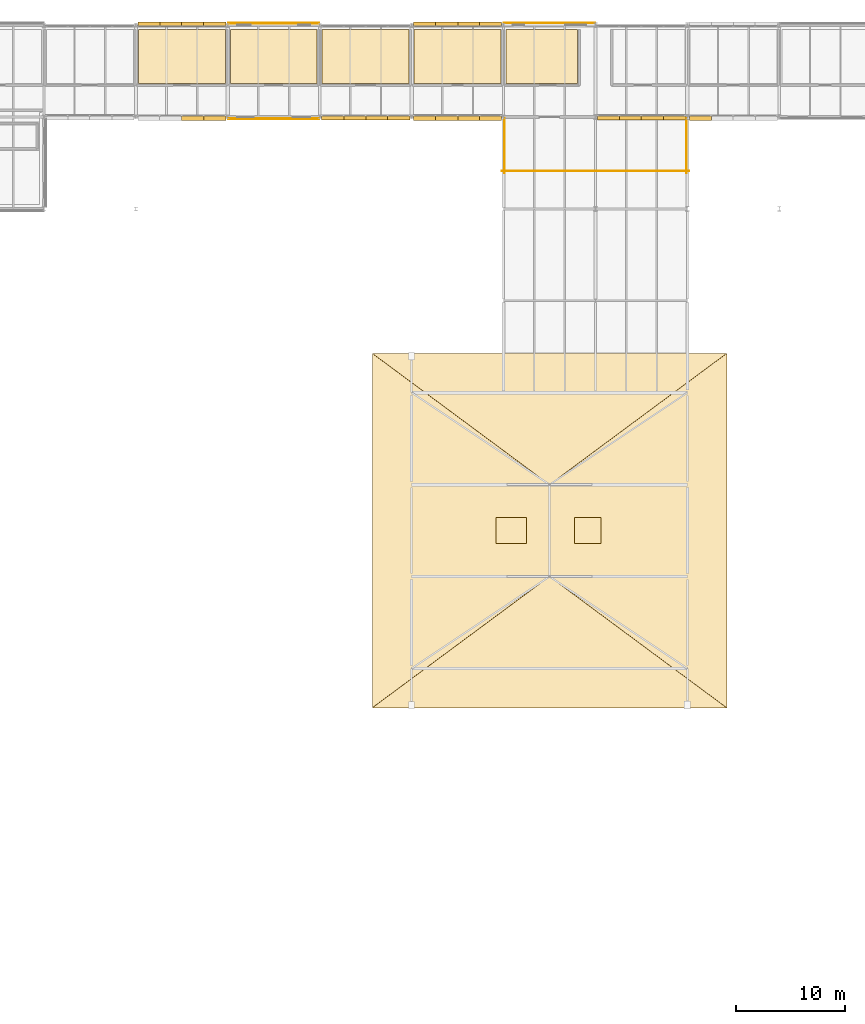
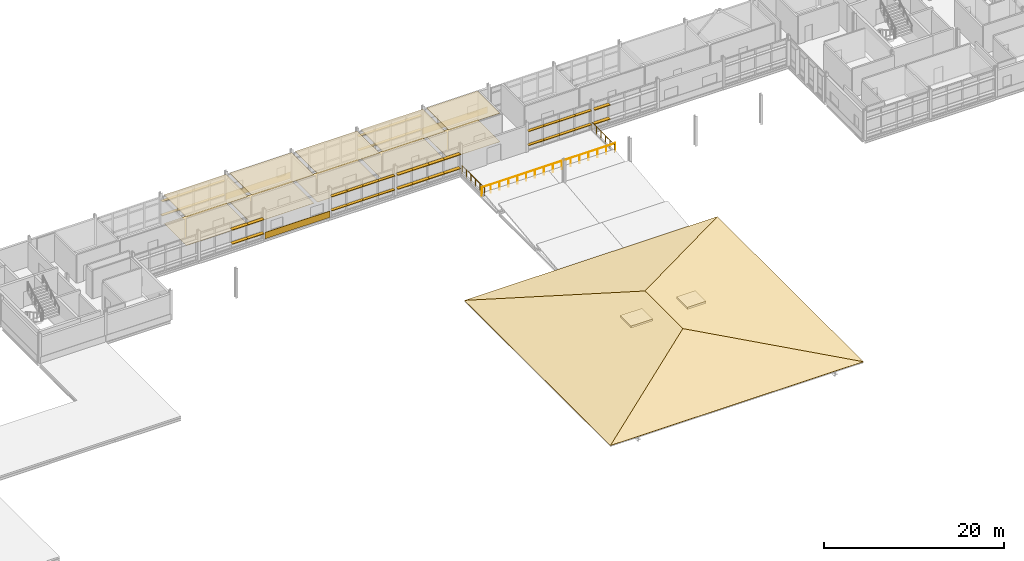
# One storey, part 60 of 66: 46 shading devices, 19 coverings, 3 railings.
"""IFC4 building model written with IfcOpenShell, lengths in metres."""

from ifc_helpers import new_model, si_unit, direction, frame, origin, origin_2d, place, context, subcontext, project, spatial, polyline, rectangle, circle, outline, extrude, material, layer, layer_set, type_object, element, save


model = new_model("IFC4")

# Units and contexts
model_context = context("Model", 3, precision=1e-05, world=origin(), true_north=direction((0.0, 1.0)))
body_context = subcontext(model_context, "Body", "Model", "MODEL_VIEW")
ifc_project = project(units=[si_unit("LENGTHUNIT", "METRE"), si_unit("AREAUNIT", "SQUARE_METRE"), si_unit("VOLUMEUNIT", "CUBIC_METRE"), si_unit("PLANEANGLEUNIT", "RADIAN"), si_unit("MASSUNIT", "GRAM", prefix="KILO")], contexts=[model_context])

# Site, building, storey
site_placement = place(None, origin())
site = spatial("IfcSite", under=ifc_project, at=site_placement, CompositionType="ELEMENT")
building_placement = place(site_placement, origin())
building = spatial("IfcBuilding", under=site, at=building_placement, Name="Mersafa Astral City Hall", CompositionType="ELEMENT")
storey_placement = place(building_placement, frame((0.0, 0.0, 22.050048828125)))
storey = spatial("IfcBuildingStorey", under=building, at=storey_placement, Name="L05", CompositionType="ELEMENT", Elevation=22.050048828125)

# Coverings
ifc_material_1 = material(Name="Cairo Mokattam buff limestone cladding", Category="masonry")
ifc_layer_1 = layer(ifc_material_1, 0.06005859375, Name="Cairo Mokattam buff limestone cladding")
ifc_layer_set_1 = layer_set([ifc_layer_1], Name="Cairo Mokattam buff limestone cladding — ENV-COV-LIMESTONE-60")
covering_type_1 = type_object("IfcCoveringType", Name="ENV-COV-LIMESTONE-60", PredefinedType="CLADDING", material=ifc_layer_set_1)
for number, where, z_axis, x_axis, name in (
    (1, (105.0, 126.177001953125, 0.0), (0.0, 0.0, 1.0), (-1.0, 0.0, 0.0), "L05 Cairo buff limestone rainscreen cladding 332"),
    (2, (79.800048828125, 126.16943359375, 0.0), (0.0, 0.0, 1.0), (-1.0, 0.0, 0.0), "L05 Cairo buff limestone rainscreen cladding 333"),
    (3, (79.800048828125, 117.445556640625, 0.0), (0.0, 0.0, 1.0), (1.0, 0.0, 0.0), "L05 Cairo buff limestone rainscreen cladding 341"),
):
    element("IfcCovering", number, at=place(storey_placement, frame(where, z_axis=z_axis, x_axis=x_axis)), inside=storey, type_object=covering_type_1, Name=name, PredefinedType="CLADDING", context=body_context, shape_type="SweptSolid", body=[
        extrude(rectangle(XDim=8.323974609375, YDim=0.06005859375, at=origin_2d()), origin(), (0.0, 0.0, 1.0), 0.860107421875),
    ])
ifc_material_2 = material(Name="Egyptian ceramic terracotta roof tile", Category="masonry")
ifc_layer_2 = layer(ifc_material_2, 0.054931640625, Name="Egyptian ceramic terracotta roof tile")
ifc_layer_set_2 = layer_set([ifc_layer_2], Name="Egyptian ceramic terracotta roof tile — ENV-COV-TERRACOTTA-55")
covering_type_2 = type_object("IfcCoveringType", Name="ENV-COV-TERRACOTTA-55", PredefinedType="ROOFING", material=ifc_layer_set_2)
for number, where, z_axis, x_axis, name in (
    (4, (88.800048828125, 63.60009765625, 0.052978515625), (0.0, -0.23343879534, 0.972371497335), (1.0, 0.0, 0.0), "L05 Warm terracotta ceramic roof tile covering 27"),
    (5, (121.199951171875, 96.0, 0.052978515625), (0.0, 0.23343879534, 0.972371497335), (-1.0, 0.0, 0.0), "L05 Warm terracotta ceramic roof tile covering 28"),
):
    element("IfcCovering", number, at=place(storey_placement, frame(where, z_axis=z_axis, x_axis=x_axis)), inside=storey, type_object=covering_type_2, Name=name, PredefinedType="ROOFING", context=body_context, shape_type="SweptSolid", body=[
        extrude(outline(polyline([(0.0, 0.0), (32.39990234375, 0.0), (16.199951171875, 12.340962310068264), (0.0, 0.0)])), origin(), (0.0, 0.0, -1.0), 0.054931640625),
    ])
for number, where, z_axis, x_axis, name in (
    (6, (88.800048828125, 96.0, 0.052978515625), (-0.175084474359, 0.0, 0.984553414924), (0.0, -1.0, 0.0), "L05 Warm terracotta ceramic roof tile covering 29"),
    (7, (121.199951171875, 63.60009765625, 0.052978515625), (0.175084474359, 0.0, 0.984553414924), (0.0, 1.0, 0.0), "L05 Warm terracotta ceramic roof tile covering 30"),
):
    element("IfcCovering", number, at=place(storey_placement, frame(where, z_axis=z_axis, x_axis=x_axis)), inside=storey, type_object=covering_type_2, Name=name, PredefinedType="ROOFING", context=body_context, shape_type="SweptSolid", body=[
        extrude(outline(polyline([(0.0, 0.0), (32.39990234375, 0.0), (20.39990234375, 16.454110997245024), (12.0, 16.454110997245024), (0.0, 0.0)])), origin(), (0.0, 0.0, -1.0), 0.054931640625),
    ])

# Railings
ifc_material_3 = material(Name="Anodised bronze steel balustrade with laminated safety infill", Category="steel")
railing_type = type_object("IfcRailingType", Name="ENV-RAIL-TERRACE-1120", PredefinedType="BALUSTRADE", material=ifc_material_3)
railing_1_placement = place(storey_placement, frame((117.530029296875, 112.4599609375, 0.0)))
element("IfcRailing", 8, at=railing_1_placement, inside=storey, type_object=railing_type, Name="L05 Terrace perimeter guard balustrade 11", PredefinedType="BALUSTRADE", context=body_context, shape_type="SweptSolid", body=[
    extrude(circle(Radius=0.02392578125, at=origin_2d()), frame((0.0, 0.0, 1.09619140625), z_axis=(0.0, 1.0, 0.0), x_axis=(-1.0, 0.0, 0.0)), (0.0, 0.0, 1.0), 5.0),
    extrude(circle(Radius=0.02099609375, at=origin_2d()), origin(), (0.0, 0.0, 1.0), 1.072021484375),
    extrude(circle(Radius=0.02099609375, at=origin_2d()), frame((0.0, 1.0, 0.0)), (0.0, 0.0, 1.0), 1.072021484375),
    extrude(circle(Radius=0.02099609375, at=origin_2d()), frame((0.0, 2.0, 0.0)), (0.0, 0.0, 1.0), 1.072021484375),
    extrude(circle(Radius=0.02099609375, at=origin_2d()), frame((0.0, 3.0, 0.0)), (0.0, 0.0, 1.0), 1.072021484375),
    extrude(circle(Radius=0.02099609375, at=origin_2d()), frame((0.0, 4.0, 0.0)), (0.0, 0.0, 1.0), 1.072021484375),
    extrude(circle(Radius=0.02099609375, at=origin_2d()), frame((0.0, 5.0, 0.0)), (0.0, 0.0, 1.0), 1.072021484375),
])
railing_2_placement = place(storey_placement, frame((100.8701171875, 117.4599609375, 0.0)))
element("IfcRailing", 9, at=railing_2_placement, inside=storey, type_object=railing_type, Name="L05 Terrace perimeter guard balustrade 12", PredefinedType="BALUSTRADE", context=body_context, shape_type="SweptSolid", body=[
    extrude(circle(Radius=0.02392578125, at=origin_2d()), frame((0.0, 0.0, 1.09619140625), z_axis=(0.0, -1.0, 0.0), x_axis=(1.0, 0.0, 0.0)), (0.0, 0.0, 1.0), 5.0),
    extrude(circle(Radius=0.02099609375, at=origin_2d()), origin(), (0.0, 0.0, 1.0), 1.072021484375),
    extrude(circle(Radius=0.02099609375, at=origin_2d()), frame((0.0, -1.0, 0.0)), (0.0, 0.0, 1.0), 1.072021484375),
    extrude(circle(Radius=0.02099609375, at=origin_2d()), frame((0.0, -2.0, 0.0)), (0.0, 0.0, 1.0), 1.072021484375),
    extrude(circle(Radius=0.02099609375, at=origin_2d()), frame((0.0, -3.0, 0.0)), (0.0, 0.0, 1.0), 1.072021484375),
    extrude(circle(Radius=0.02099609375, at=origin_2d()), frame((0.0, -4.0, 0.0)), (0.0, 0.0, 1.0), 1.072021484375),
    extrude(circle(Radius=0.02099609375, at=origin_2d()), frame((0.0, -5.0, 0.0)), (0.0, 0.0, 1.0), 1.072021484375),
])
railing_3_placement = place(storey_placement, frame((100.659912109375, 112.669921875, 0.0)))
element("IfcRailing", 10, at=railing_3_placement, inside=storey, type_object=railing_type, Name="L05 Terrace perimeter guard balustrade 13", PredefinedType="BALUSTRADE", context=body_context, shape_type="SweptSolid", body=[
    extrude(circle(Radius=0.02392578125, at=origin_2d()), frame((0.0, 0.0, 1.09619140625), z_axis=(1.0, 0.0, 0.0), x_axis=(0.0, 1.0, 0.0)), (0.0, 0.0, 1.0), 17.080078125),
    extrude(circle(Radius=0.02099609375, at=origin_2d()), origin(), (0.0, 0.0, 1.0), 1.072021484375),
    extrude(circle(Radius=0.02099609375, at=origin_2d()), frame((1.138671875, 0.0, 0.0)), (0.0, 0.0, 1.0), 1.072021484375),
    extrude(circle(Radius=0.02099609375, at=origin_2d()), frame((2.27734375, 0.0, 0.0)), (0.0, 0.0, 1.0), 1.072021484375),
    extrude(circle(Radius=0.02099609375, at=origin_2d()), frame((3.416015625, 0.0, 0.0)), (0.0, 0.0, 1.0), 1.072021484375),
    extrude(circle(Radius=0.02099609375, at=origin_2d()), frame((4.5546875, 0.0, 0.0)), (0.0, 0.0, 1.0), 1.072021484375),
    extrude(circle(Radius=0.02099609375, at=origin_2d()), frame((5.693359375, 0.0, 0.0)), (0.0, 0.0, 1.0), 1.072021484375),
    extrude(circle(Radius=0.02099609375, at=origin_2d()), frame((6.83203125, 0.0, 0.0)), (0.0, 0.0, 1.0), 1.072021484375),
    extrude(circle(Radius=0.02099609375, at=origin_2d()), frame((7.970703125, 0.0, 0.0)), (0.0, 0.0, 1.0), 1.072021484375),
    extrude(circle(Radius=0.02099609375, at=origin_2d()), frame((9.109375, 0.0, 0.0)), (0.0, 0.0, 1.0), 1.072021484375),
    extrude(circle(Radius=0.02099609375, at=origin_2d()), frame((10.248046875, 0.0, 0.0)), (0.0, 0.0, 1.0), 1.072021484375),
    extrude(circle(Radius=0.02099609375, at=origin_2d()), frame((11.38671875, 0.0, 0.0)), (0.0, 0.0, 1.0), 1.072021484375),
    extrude(circle(Radius=0.02099609375, at=origin_2d()), frame((12.525390625, 0.0, 0.0)), (0.0, 0.0, 1.0), 1.072021484375),
    extrude(circle(Radius=0.02099609375, at=origin_2d()), frame((13.6640625, 0.0, 0.0)), (0.0, 0.0, 1.0), 1.072021484375),
    extrude(circle(Radius=0.02099609375, at=origin_2d()), frame((14.802734375, 0.0, 0.0)), (0.0, 0.0, 1.0), 1.072021484375),
    extrude(circle(Radius=0.02099609375, at=origin_2d()), frame((15.94140625, 0.0, 0.0)), (0.0, 0.0, 1.0), 1.072021484375),
    extrude(circle(Radius=0.02099609375, at=origin_2d()), frame((17.080078125, 0.0, 0.0)), (0.0, 0.0, 1.0), 1.072021484375),
])

# Shading devices
ifc_material_4 = material(Name="Kiln-dried cedar timber brise-soleil blade", Category="wood")
shading_device_type_1 = type_object("IfcShadingDeviceType", Name="ENV-SHD-LOUVRE-380", PredefinedType="JALOUSIE", material=ifc_material_4)
shading_device_1_placement = place(storey_placement, frame((99.613525390625, 126.080078125, 0.81494140625), z_axis=(0.0, 0.0, 1.0), x_axis=(-1.0, 0.0, 0.0)))
element("IfcShadingDevice", 11, at=shading_device_1_placement, inside=storey, type_object=shading_device_type_1, Name="L05 Horizontal cedar brise-soleil louvre 1468", PredefinedType="JALOUSIE", context=body_context, shape_type="SweptSolid", body=[
    extrude(rectangle(XDim=2.029052734375, YDim=0.3798828125, at=origin_2d()), origin(), (0.0, 0.0, 1.0), 0.070068359375),
])
for number, where, z_axis, x_axis, name in (
    (12, (97.609619140625, 126.080078125, 0.81494140625), (0.0, 0.0, 1.0), (-1.0, 0.0, 0.0), "L05 Horizontal cedar brise-soleil louvre 1469"),
    (13, (95.590576171875, 126.080078125, 0.81494140625), (0.0, 0.0, 1.0), (-1.0, 0.0, 0.0), "L05 Horizontal cedar brise-soleil louvre 1470"),
):
    element("IfcShadingDevice", number, at=place(storey_placement, frame(where, z_axis=z_axis, x_axis=x_axis)), inside=storey, type_object=shading_device_type_1, Name=name, PredefinedType="JALOUSIE", context=body_context, shape_type="SweptSolid", body=[
        extrude(rectangle(XDim=2.05908203125, YDim=0.3798828125, at=origin_2d()), origin(), (0.0, 0.0, 1.0), 0.070068359375),
    ])
for number, where, z_axis, x_axis, name in (
    (14, (93.58642578125, 126.080078125, 0.81494140625), (0.0, 0.0, 1.0), (-1.0, 0.0, 0.0), "L05 Horizontal cedar brise-soleil louvre 1471"),
    (15, (99.613525390625, 126.080078125, 2.71484375), (0.0, 0.0, 1.0), (-1.0, 0.0, 0.0), "L05 Horizontal cedar brise-soleil louvre 1472"),
):
    element("IfcShadingDevice", number, at=place(storey_placement, frame(where, z_axis=z_axis, x_axis=x_axis)), inside=storey, type_object=shading_device_type_1, Name=name, PredefinedType="JALOUSIE", context=body_context, shape_type="SweptSolid", body=[
        extrude(rectangle(XDim=2.029052734375, YDim=0.3798828125, at=origin_2d()), origin(), (0.0, 0.0, 1.0), 0.070068359375),
    ])
for number, where, z_axis, x_axis, name in (
    (16, (97.609619140625, 126.080078125, 2.71484375), (0.0, 0.0, 1.0), (-1.0, 0.0, 0.0), "L05 Horizontal cedar brise-soleil louvre 1473"),
    (17, (95.590576171875, 126.080078125, 2.71484375), (0.0, 0.0, 1.0), (-1.0, 0.0, 0.0), "L05 Horizontal cedar brise-soleil louvre 1474"),
):
    element("IfcShadingDevice", number, at=place(storey_placement, frame(where, z_axis=z_axis, x_axis=x_axis)), inside=storey, type_object=shading_device_type_1, Name=name, PredefinedType="JALOUSIE", context=body_context, shape_type="SweptSolid", body=[
        extrude(rectangle(XDim=2.05908203125, YDim=0.3798828125, at=origin_2d()), origin(), (0.0, 0.0, 1.0), 0.070068359375),
    ])
for number, where, z_axis, x_axis, name in (
    (18, (93.58642578125, 126.080078125, 2.71484375), (0.0, 0.0, 1.0), (-1.0, 0.0, 0.0), "L05 Horizontal cedar brise-soleil louvre 1475"),
    (19, (74.41357421875, 126.080078125, 0.81494140625), (0.0, 0.0, 1.0), (-1.0, 0.0, 0.0), "L05 Horizontal cedar brise-soleil louvre 1476"),
):
    element("IfcShadingDevice", number, at=place(storey_placement, frame(where, z_axis=z_axis, x_axis=x_axis)), inside=storey, type_object=shading_device_type_1, Name=name, PredefinedType="JALOUSIE", context=body_context, shape_type="SweptSolid", body=[
        extrude(rectangle(XDim=2.029052734375, YDim=0.3798828125, at=origin_2d()), origin(), (0.0, 0.0, 1.0), 0.070068359375),
    ])
for number, where, z_axis, x_axis, name in (
    (20, (72.409423828125, 126.080078125, 0.81494140625), (0.0, 0.0, 1.0), (-1.0, 0.0, 0.0), "L05 Horizontal cedar brise-soleil louvre 1477"),
    (21, (70.390380859375, 126.080078125, 0.81494140625), (0.0, 0.0, 1.0), (-1.0, 0.0, 0.0), "L05 Horizontal cedar brise-soleil louvre 1478"),
):
    element("IfcShadingDevice", number, at=place(storey_placement, frame(where, z_axis=z_axis, x_axis=x_axis)), inside=storey, type_object=shading_device_type_1, Name=name, PredefinedType="JALOUSIE", context=body_context, shape_type="SweptSolid", body=[
        extrude(rectangle(XDim=2.05908203125, YDim=0.3798828125, at=origin_2d()), origin(), (0.0, 0.0, 1.0), 0.070068359375),
    ])
for number, where, z_axis, x_axis, name in (
    (22, (68.386474609375, 126.080078125, 0.81494140625), (0.0, 0.0, 1.0), (-1.0, 0.0, 0.0), "L05 Horizontal cedar brise-soleil louvre 1479"),
    (23, (74.41357421875, 126.080078125, 2.71484375), (0.0, 0.0, 1.0), (-1.0, 0.0, 0.0), "L05 Horizontal cedar brise-soleil louvre 1480"),
):
    element("IfcShadingDevice", number, at=place(storey_placement, frame(where, z_axis=z_axis, x_axis=x_axis)), inside=storey, type_object=shading_device_type_1, Name=name, PredefinedType="JALOUSIE", context=body_context, shape_type="SweptSolid", body=[
        extrude(rectangle(XDim=2.029052734375, YDim=0.3798828125, at=origin_2d()), origin(), (0.0, 0.0, 1.0), 0.070068359375),
    ])
for number, where, z_axis, x_axis, name in (
    (24, (72.409423828125, 126.080078125, 2.71484375), (0.0, 0.0, 1.0), (-1.0, 0.0, 0.0), "L05 Horizontal cedar brise-soleil louvre 1481"),
    (25, (70.390380859375, 126.080078125, 2.71484375), (0.0, 0.0, 1.0), (-1.0, 0.0, 0.0), "L05 Horizontal cedar brise-soleil louvre 1482"),
):
    element("IfcShadingDevice", number, at=place(storey_placement, frame(where, z_axis=z_axis, x_axis=x_axis)), inside=storey, type_object=shading_device_type_1, Name=name, PredefinedType="JALOUSIE", context=body_context, shape_type="SweptSolid", body=[
        extrude(rectangle(XDim=2.05908203125, YDim=0.3798828125, at=origin_2d()), origin(), (0.0, 0.0, 1.0), 0.070068359375),
    ])
for number, where, z_axis, x_axis, name in (
    (26, (68.386474609375, 126.080078125, 2.71484375), (0.0, 0.0, 1.0), (-1.0, 0.0, 0.0), "L05 Horizontal cedar brise-soleil louvre 1483"),
    (27, (85.1865234375, 117.52001953125, 0.81494140625), (0.0, 0.0, 1.0), (1.0, 0.0, 0.0), "L05 Horizontal cedar brise-soleil louvre 1500"),
):
    element("IfcShadingDevice", number, at=place(storey_placement, frame(where, z_axis=z_axis, x_axis=x_axis)), inside=storey, type_object=shading_device_type_1, Name=name, PredefinedType="JALOUSIE", context=body_context, shape_type="SweptSolid", body=[
        extrude(rectangle(XDim=2.029052734375, YDim=0.3798828125, at=origin_2d()), origin(), (0.0, 0.0, 1.0), 0.070068359375),
    ])
for number, where, z_axis, x_axis, name in (
    (28, (87.1904296875, 117.52001953125, 0.81494140625), (0.0, 0.0, 1.0), (1.0, 0.0, 0.0), "L05 Horizontal cedar brise-soleil louvre 1501"),
    (29, (89.20947265625, 117.52001953125, 0.81494140625), (0.0, 0.0, 1.0), (1.0, 0.0, 0.0), "L05 Horizontal cedar brise-soleil louvre 1502"),
):
    element("IfcShadingDevice", number, at=place(storey_placement, frame(where, z_axis=z_axis, x_axis=x_axis)), inside=storey, type_object=shading_device_type_1, Name=name, PredefinedType="JALOUSIE", context=body_context, shape_type="SweptSolid", body=[
        extrude(rectangle(XDim=2.05908203125, YDim=0.3798828125, at=origin_2d()), origin(), (0.0, 0.0, 1.0), 0.070068359375),
    ])
for number, where, z_axis, x_axis, name in (
    (30, (91.21337890625, 117.52001953125, 0.81494140625), (0.0, 0.0, 1.0), (1.0, 0.0, 0.0), "L05 Horizontal cedar brise-soleil louvre 1503"),
    (31, (85.1865234375, 117.52001953125, 2.71484375), (0.0, 0.0, 1.0), (1.0, 0.0, 0.0), "L05 Horizontal cedar brise-soleil louvre 1504"),
):
    element("IfcShadingDevice", number, at=place(storey_placement, frame(where, z_axis=z_axis, x_axis=x_axis)), inside=storey, type_object=shading_device_type_1, Name=name, PredefinedType="JALOUSIE", context=body_context, shape_type="SweptSolid", body=[
        extrude(rectangle(XDim=2.029052734375, YDim=0.3798828125, at=origin_2d()), origin(), (0.0, 0.0, 1.0), 0.070068359375),
    ])
for number, where, z_axis, x_axis, name in (
    (32, (87.1904296875, 117.52001953125, 2.71484375), (0.0, 0.0, 1.0), (1.0, 0.0, 0.0), "L05 Horizontal cedar brise-soleil louvre 1505"),
    (33, (89.20947265625, 117.52001953125, 2.71484375), (0.0, 0.0, 1.0), (1.0, 0.0, 0.0), "L05 Horizontal cedar brise-soleil louvre 1506"),
):
    element("IfcShadingDevice", number, at=place(storey_placement, frame(where, z_axis=z_axis, x_axis=x_axis)), inside=storey, type_object=shading_device_type_1, Name=name, PredefinedType="JALOUSIE", context=body_context, shape_type="SweptSolid", body=[
        extrude(rectangle(XDim=2.05908203125, YDim=0.3798828125, at=origin_2d()), origin(), (0.0, 0.0, 1.0), 0.070068359375),
    ])
for number, where, z_axis, x_axis, name in (
    (34, (91.21337890625, 117.52001953125, 2.71484375), (0.0, 0.0, 1.0), (1.0, 0.0, 0.0), "L05 Horizontal cedar brise-soleil louvre 1507"),
    (35, (110.386474609375, 117.52001953125, 0.81494140625), (0.0, 0.0, 1.0), (1.0, 0.0, 0.0), "L05 Horizontal cedar brise-soleil louvre 1516"),
):
    element("IfcShadingDevice", number, at=place(storey_placement, frame(where, z_axis=z_axis, x_axis=x_axis)), inside=storey, type_object=shading_device_type_1, Name=name, PredefinedType="JALOUSIE", context=body_context, shape_type="SweptSolid", body=[
        extrude(rectangle(XDim=2.029052734375, YDim=0.3798828125, at=origin_2d()), origin(), (0.0, 0.0, 1.0), 0.070068359375),
    ])
for number, where, z_axis, x_axis, name in (
    (36, (112.390380859375, 117.52001953125, 0.81494140625), (0.0, 0.0, 1.0), (1.0, 0.0, 0.0), "L05 Horizontal cedar brise-soleil louvre 1517"),
    (37, (114.409423828125, 117.52001953125, 0.81494140625), (0.0, 0.0, 1.0), (1.0, 0.0, 0.0), "L05 Horizontal cedar brise-soleil louvre 1518"),
):
    element("IfcShadingDevice", number, at=place(storey_placement, frame(where, z_axis=z_axis, x_axis=x_axis)), inside=storey, type_object=shading_device_type_1, Name=name, PredefinedType="JALOUSIE", context=body_context, shape_type="SweptSolid", body=[
        extrude(rectangle(XDim=2.05908203125, YDim=0.3798828125, at=origin_2d()), origin(), (0.0, 0.0, 1.0), 0.070068359375),
    ])
for number, where, z_axis, x_axis, name in (
    (38, (116.41357421875, 117.52001953125, 0.81494140625), (0.0, 0.0, 1.0), (1.0, 0.0, 0.0), "L05 Horizontal cedar brise-soleil louvre 1519"),
    (39, (110.386474609375, 117.52001953125, 2.71484375), (0.0, 0.0, 1.0), (1.0, 0.0, 0.0), "L05 Horizontal cedar brise-soleil louvre 1520"),
):
    element("IfcShadingDevice", number, at=place(storey_placement, frame(where, z_axis=z_axis, x_axis=x_axis)), inside=storey, type_object=shading_device_type_1, Name=name, PredefinedType="JALOUSIE", context=body_context, shape_type="SweptSolid", body=[
        extrude(rectangle(XDim=2.029052734375, YDim=0.3798828125, at=origin_2d()), origin(), (0.0, 0.0, 1.0), 0.070068359375),
    ])
for number, where, z_axis, x_axis, name in (
    (40, (112.390380859375, 117.52001953125, 2.71484375), (0.0, 0.0, 1.0), (1.0, 0.0, 0.0), "L05 Horizontal cedar brise-soleil louvre 1521"),
    (41, (114.409423828125, 117.52001953125, 2.71484375), (0.0, 0.0, 1.0), (1.0, 0.0, 0.0), "L05 Horizontal cedar brise-soleil louvre 1522"),
):
    element("IfcShadingDevice", number, at=place(storey_placement, frame(where, z_axis=z_axis, x_axis=x_axis)), inside=storey, type_object=shading_device_type_1, Name=name, PredefinedType="JALOUSIE", context=body_context, shape_type="SweptSolid", body=[
        extrude(rectangle(XDim=2.05908203125, YDim=0.3798828125, at=origin_2d()), origin(), (0.0, 0.0, 1.0), 0.070068359375),
    ])
shading_device_2_placement = place(storey_placement, frame((116.41357421875, 117.52001953125, 2.71484375), z_axis=(0.0, 0.0, 1.0), x_axis=(1.0, 0.0, 0.0)))
element("IfcShadingDevice", 42, at=shading_device_2_placement, inside=storey, type_object=shading_device_type_1, Name="L05 Horizontal cedar brise-soleil louvre 1523", PredefinedType="JALOUSIE", context=body_context, shape_type="SweptSolid", body=[
    extrude(rectangle(XDim=2.029052734375, YDim=0.3798828125, at=origin_2d()), origin(), (0.0, 0.0, 1.0), 0.070068359375),
])
shading_device_type_2 = type_object("IfcShadingDeviceType", Name="ENV-SHD-LOUVRE-450", PredefinedType="JALOUSIE", material=ifc_material_4)
shading_device_3_placement = place(storey_placement, frame((72.409423828125, 117.485107421875, 0.809814453125), z_axis=(0.0, 0.0, 1.0), x_axis=(1.0, 0.0, 0.0)))
element("IfcShadingDevice", 43, at=shading_device_3_placement, inside=storey, type_object=shading_device_type_2, Name="L05 Horizontal cedar brise-soleil louvre 1494", PredefinedType="JALOUSIE", context=body_context, shape_type="SweptSolid", body=[
    extrude(rectangle(XDim=2.05908203125, YDim=0.449951171875, at=origin_2d()), origin(), (0.0, 0.0, 1.0), 0.080078125),
])
shading_device_4_placement = place(storey_placement, frame((74.41357421875, 117.485107421875, 0.809814453125), z_axis=(0.0, 0.0, 1.0), x_axis=(1.0, 0.0, 0.0)))
element("IfcShadingDevice", 44, at=shading_device_4_placement, inside=storey, type_object=shading_device_type_2, Name="L05 Horizontal cedar brise-soleil louvre 1495", PredefinedType="JALOUSIE", context=body_context, shape_type="SweptSolid", body=[
    extrude(rectangle(XDim=2.029052734375, YDim=0.449951171875, at=origin_2d()), origin(), (0.0, 0.0, 1.0), 0.080078125),
])
shading_device_5_placement = place(storey_placement, frame((72.409423828125, 117.485107421875, 2.7099609375), z_axis=(0.0, 0.0, 1.0), x_axis=(1.0, 0.0, 0.0)))
element("IfcShadingDevice", 45, at=shading_device_5_placement, inside=storey, type_object=shading_device_type_2, Name="L05 Horizontal cedar brise-soleil louvre 1498", PredefinedType="JALOUSIE", context=body_context, shape_type="SweptSolid", body=[
    extrude(rectangle(XDim=2.05908203125, YDim=0.449951171875, at=origin_2d()), origin(), (0.0, 0.0, 1.0), 0.080078125),
])
for number, where, z_axis, x_axis, name in (
    (46, (74.41357421875, 117.485107421875, 2.7099609375), (0.0, 0.0, 1.0), (1.0, 0.0, 0.0), "L05 Horizontal cedar brise-soleil louvre 1499"),
    (47, (93.58642578125, 117.485107421875, 0.809814453125), (0.0, 0.0, 1.0), (1.0, 0.0, 0.0), "L05 Horizontal cedar brise-soleil louvre 1508"),
):
    element("IfcShadingDevice", number, at=place(storey_placement, frame(where, z_axis=z_axis, x_axis=x_axis)), inside=storey, type_object=shading_device_type_2, Name=name, PredefinedType="JALOUSIE", context=body_context, shape_type="SweptSolid", body=[
        extrude(rectangle(XDim=2.029052734375, YDim=0.449951171875, at=origin_2d()), origin(), (0.0, 0.0, 1.0), 0.080078125),
    ])
for number, where, z_axis, x_axis, name in (
    (48, (95.590576171875, 117.485107421875, 0.809814453125), (0.0, 0.0, 1.0), (1.0, 0.0, 0.0), "L05 Horizontal cedar brise-soleil louvre 1509"),
    (49, (97.609619140625, 117.485107421875, 0.809814453125), (0.0, 0.0, 1.0), (1.0, 0.0, 0.0), "L05 Horizontal cedar brise-soleil louvre 1510"),
):
    element("IfcShadingDevice", number, at=place(storey_placement, frame(where, z_axis=z_axis, x_axis=x_axis)), inside=storey, type_object=shading_device_type_2, Name=name, PredefinedType="JALOUSIE", context=body_context, shape_type="SweptSolid", body=[
        extrude(rectangle(XDim=2.05908203125, YDim=0.449951171875, at=origin_2d()), origin(), (0.0, 0.0, 1.0), 0.080078125),
    ])
for number, where, z_axis, x_axis, name in (
    (50, (99.613525390625, 117.485107421875, 0.809814453125), (0.0, 0.0, 1.0), (1.0, 0.0, 0.0), "L05 Horizontal cedar brise-soleil louvre 1511"),
    (51, (93.58642578125, 117.485107421875, 2.7099609375), (0.0, 0.0, 1.0), (1.0, 0.0, 0.0), "L05 Horizontal cedar brise-soleil louvre 1512"),
):
    element("IfcShadingDevice", number, at=place(storey_placement, frame(where, z_axis=z_axis, x_axis=x_axis)), inside=storey, type_object=shading_device_type_2, Name=name, PredefinedType="JALOUSIE", context=body_context, shape_type="SweptSolid", body=[
        extrude(rectangle(XDim=2.029052734375, YDim=0.449951171875, at=origin_2d()), origin(), (0.0, 0.0, 1.0), 0.080078125),
    ])
for number, where, z_axis, x_axis, name in (
    (52, (95.590576171875, 117.485107421875, 2.7099609375), (0.0, 0.0, 1.0), (1.0, 0.0, 0.0), "L05 Horizontal cedar brise-soleil louvre 1513"),
    (53, (97.609619140625, 117.485107421875, 2.7099609375), (0.0, 0.0, 1.0), (1.0, 0.0, 0.0), "L05 Horizontal cedar brise-soleil louvre 1514"),
):
    element("IfcShadingDevice", number, at=place(storey_placement, frame(where, z_axis=z_axis, x_axis=x_axis)), inside=storey, type_object=shading_device_type_2, Name=name, PredefinedType="JALOUSIE", context=body_context, shape_type="SweptSolid", body=[
        extrude(rectangle(XDim=2.05908203125, YDim=0.449951171875, at=origin_2d()), origin(), (0.0, 0.0, 1.0), 0.080078125),
    ])
for number, where, z_axis, x_axis, name in (
    (54, (99.613525390625, 117.485107421875, 2.7099609375), (0.0, 0.0, 1.0), (1.0, 0.0, 0.0), "L05 Horizontal cedar brise-soleil louvre 1515"),
    (55, (118.78662109375, 117.485107421875, 0.809814453125), (0.0, 0.0, 1.0), (1.0, 0.0, 0.0), "L05 Horizontal cedar brise-soleil louvre 1524"),
    (56, (118.78662109375, 117.485107421875, 2.7099609375), (0.0, 0.0, 1.0), (1.0, 0.0, 0.0), "L05 Horizontal cedar brise-soleil louvre 1528"),
):
    element("IfcShadingDevice", number, at=place(storey_placement, frame(where, z_axis=z_axis, x_axis=x_axis)), inside=storey, type_object=shading_device_type_2, Name=name, PredefinedType="JALOUSIE", context=body_context, shape_type="SweptSolid", body=[
        extrude(rectangle(XDim=2.029052734375, YDim=0.449951171875, at=origin_2d()), origin(), (0.0, 0.0, 1.0), 0.080078125),
    ])

# Coverings
ifc_material_5 = material(Name="Laminated solar control double skylight glazing", Category="glass")
covering_type_3 = type_object("IfcCoveringType", Name="ENV-SKY-SK-04", PredefinedType="MEMBRANE", material=ifc_material_5)
covering_1_placement = place(storey_placement, frame((101.5, 79.800048828125, 2.880859375), z_axis=(0.0, 0.0, 1.0), x_axis=(1.0, 0.0, 0.0)))
element("IfcCovering", 57, at=covering_1_placement, inside=storey, type_object=covering_type_3, Name="L05 Civic Roof Lantern Skylight 4", PredefinedType="MEMBRANE", context=body_context, shape_type="SweptSolid", body=[
    extrude(rectangle(XDim=2.800048828125, YDim=2.39990234375, at=origin_2d()), origin(), (0.0, 0.0, 1.0), 0.280029296875),
])
covering_type_4 = type_object("IfcCoveringType", Name="ENV-SKY-SK-05", PredefinedType="MEMBRANE", material=ifc_material_5)
covering_2_placement = place(storey_placement, frame((108.5, 79.800048828125, 2.880859375), z_axis=(0.0, 0.0, 1.0), x_axis=(1.0, 0.0, 0.0)))
element("IfcCovering", 58, at=covering_2_placement, inside=storey, type_object=covering_type_4, Name="L05 Civic Roof Lantern Skylight 5", PredefinedType="MEMBRANE", context=body_context, shape_type="SweptSolid", body=[
    extrude(rectangle(XDim=2.39990234375, YDim=2.39990234375, at=origin_2d()), origin(), (0.0, 0.0, 1.0), 0.280029296875),
])
ifc_material_6 = material(Name="Perforated acoustic gypsum board ceiling", Category="gypsum")
ifc_layer_3 = layer(ifc_material_6, 0.02490234375, Name="Perforated acoustic gypsum board ceiling")
ifc_layer_set_3 = layer_set([ifc_layer_3], Name="Perforated acoustic gypsum board ceiling — INT-COV-CEIL-25")
covering_type_5 = type_object("IfcCoveringType", Name="INT-COV-CEIL-25", PredefinedType="CEILING", material=ifc_layer_set_3)
covering_3_placement = place(storey_placement, frame((0.0, 0.0, 3.85595703125)))
element("IfcCovering", 59, at=covering_3_placement, inside=storey, type_object=covering_type_5, Name="L05 Municipal Policy Research Studio L05-03 acoustic ceiling", PredefinedType="CEILING", context=body_context, shape_type="SweptSolid", body=[
    extrude(outline(polyline([(67.429931640625, 120.639892578125), (67.429931640625, 125.60009765625), (75.3701171875, 125.60009765625), (75.3701171875, 120.639892578125), (67.429931640625, 120.639892578125)])), origin(), (0.0, 0.0, 1.0), 0.02490234375),
])
covering_4_placement = place(storey_placement, frame((0.0, 0.0, 3.85595703125)))
element("IfcCovering", 60, at=covering_4_placement, inside=storey, type_object=covering_type_5, Name="L05 Capital Budget Review Room L05-04 acoustic ceiling", PredefinedType="CEILING", context=body_context, shape_type="SweptSolid", body=[
    extrude(outline(polyline([(75.830078125, 120.639892578125), (75.830078125, 125.60009765625), (83.77001953125, 125.60009765625), (83.77001953125, 120.639892578125), (75.830078125, 120.639892578125)])), origin(), (0.0, 0.0, 1.0), 0.02490234375),
])
covering_5_placement = place(storey_placement, frame((0.0, 0.0, 3.85595703125)))
element("IfcCovering", 61, at=covering_5_placement, inside=storey, type_object=covering_type_5, Name="L05 Inter-District Coordination Room L05-05 acoustic ceiling", PredefinedType="CEILING", context=body_context, shape_type="SweptSolid", body=[
    extrude(outline(polyline([(84.22998046875, 120.639892578125), (84.22998046875, 125.60009765625), (92.169921875, 125.60009765625), (92.169921875, 120.639892578125), (84.22998046875, 120.639892578125)])), origin(), (0.0, 0.0, 1.0), 0.02490234375),
])
covering_6_placement = place(storey_placement, frame((0.0, 0.0, 3.85595703125)))
element("IfcCovering", 62, at=covering_6_placement, inside=storey, type_object=covering_type_5, Name="L05 Protocol & Civic Events Office L05-06 acoustic ceiling", PredefinedType="CEILING", context=body_context, shape_type="SweptSolid", body=[
    extrude(outline(polyline([(92.6298828125, 120.639892578125), (92.6298828125, 125.60009765625), (100.570068359375, 125.60009765625), (100.570068359375, 120.639892578125), (92.6298828125, 120.639892578125)])), origin(), (0.0, 0.0, 1.0), 0.02490234375),
])
covering_7_placement = place(storey_placement, frame((0.0, 0.0, 3.85595703125)))
element("IfcCovering", 63, at=covering_7_placement, inside=storey, type_object=covering_type_5, Name="L05 Inter-District Coordination Room L05-12 acoustic ceiling", PredefinedType="CEILING", context=body_context, shape_type="SweptSolid", body=[
    extrude(outline(polyline([(101.030029296875, 120.639892578125), (101.030029296875, 125.60009765625), (107.580078125, 125.60009765625), (107.580078125, 120.639892578125), (101.030029296875, 120.639892578125)])), origin(), (0.0, 0.0, 1.0), 0.02490234375),
])
ifc_material_7 = material(Name="Heavy-duty woven acoustic carpet tile", Category="finish")
ifc_layer_4 = layer(ifc_material_7, 0.014892578125, Name="Heavy-duty woven acoustic carpet tile")
ifc_layer_set_4 = layer_set([ifc_layer_4], Name="Heavy-duty woven acoustic carpet tile — INT-COV-FLR-15")
covering_type_6 = type_object("IfcCoveringType", Name="INT-COV-FLR-15", PredefinedType="FLOORING", material=ifc_layer_set_4)
covering_8_placement = place(storey_placement, frame((0.0, 0.0, -0.00146484375)))
element("IfcCovering", 64, at=covering_8_placement, inside=storey, type_object=covering_type_6, Name="L05 Municipal Policy Research Studio L05-03 architectural flooring", PredefinedType="FLOORING", context=body_context, shape_type="SweptSolid", body=[
    extrude(outline(polyline([(67.429931640625, 120.639892578125), (67.429931640625, 125.60009765625), (75.3701171875, 125.60009765625), (75.3701171875, 120.639892578125), (67.429931640625, 120.639892578125)])), origin(), (0.0, 0.0, 1.0), 0.014892578125),
])
covering_9_placement = place(storey_placement, frame((0.0, 0.0, -0.00146484375)))
element("IfcCovering", 65, at=covering_9_placement, inside=storey, type_object=covering_type_6, Name="L05 Capital Budget Review Room L05-04 architectural flooring", PredefinedType="FLOORING", context=body_context, shape_type="SweptSolid", body=[
    extrude(outline(polyline([(75.830078125, 120.639892578125), (75.830078125, 125.60009765625), (83.77001953125, 125.60009765625), (83.77001953125, 120.639892578125), (75.830078125, 120.639892578125)])), origin(), (0.0, 0.0, 1.0), 0.014892578125),
])
covering_10_placement = place(storey_placement, frame((0.0, 0.0, -0.00146484375)))
element("IfcCovering", 66, at=covering_10_placement, inside=storey, type_object=covering_type_6, Name="L05 Inter-District Coordination Room L05-05 architectural flooring", PredefinedType="FLOORING", context=body_context, shape_type="SweptSolid", body=[
    extrude(outline(polyline([(84.22998046875, 120.639892578125), (84.22998046875, 125.60009765625), (92.169921875, 125.60009765625), (92.169921875, 120.639892578125), (84.22998046875, 120.639892578125)])), origin(), (0.0, 0.0, 1.0), 0.014892578125),
])
covering_11_placement = place(storey_placement, frame((0.0, 0.0, -0.00146484375)))
element("IfcCovering", 67, at=covering_11_placement, inside=storey, type_object=covering_type_6, Name="L05 Protocol & Civic Events Office L05-06 architectural flooring", PredefinedType="FLOORING", context=body_context, shape_type="SweptSolid", body=[
    extrude(outline(polyline([(92.6298828125, 120.639892578125), (92.6298828125, 125.60009765625), (100.570068359375, 125.60009765625), (100.570068359375, 120.639892578125), (92.6298828125, 120.639892578125)])), origin(), (0.0, 0.0, 1.0), 0.014892578125),
])
covering_12_placement = place(storey_placement, frame((0.0, 0.0, -0.00146484375)))
element("IfcCovering", 68, at=covering_12_placement, inside=storey, type_object=covering_type_6, Name="L05 Inter-District Coordination Room L05-12 architectural flooring", PredefinedType="FLOORING", context=body_context, shape_type="SweptSolid", body=[
    extrude(outline(polyline([(101.030029296875, 120.639892578125), (101.030029296875, 125.60009765625), (107.580078125, 125.60009765625), (107.580078125, 120.639892578125), (101.030029296875, 120.639892578125)])), origin(), (0.0, 0.0, 1.0), 0.014892578125),
])

save(model, "model.ifc")
